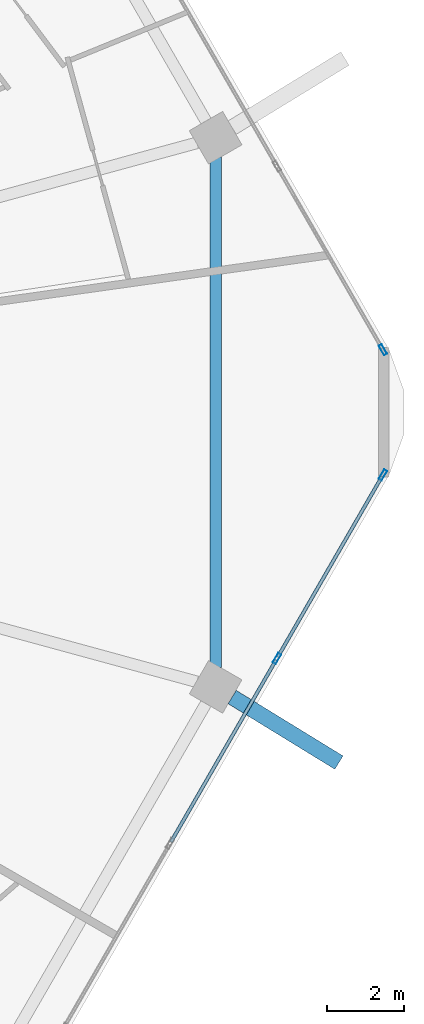
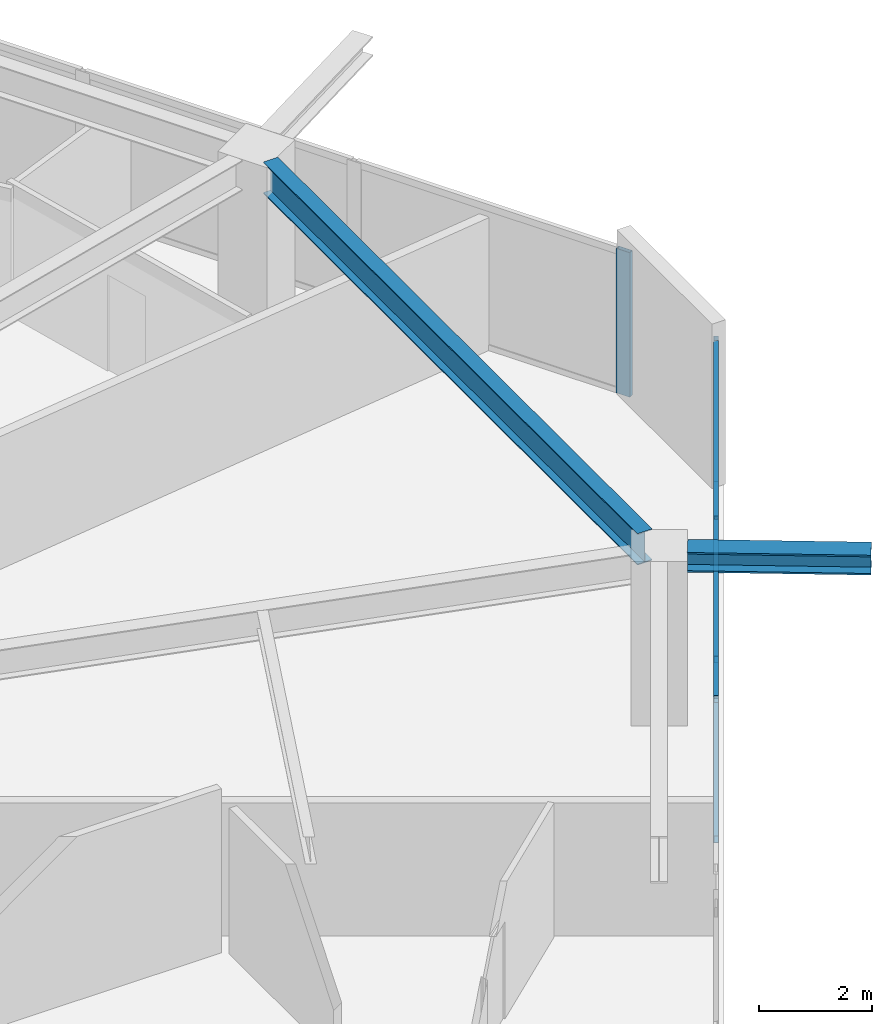
# One storey, part 9 of 25: 7 members, 2 beams, 2 elements without a shape of their own.
"""IFC4 building model written with IfcOpenShell, lengths in metres."""

from ifc_helpers import new_model, si_unit, direction, frame, origin, origin_2d, place, context, subcontext, project, spatial, hollow_rectangle, i_section, extrude, material, material_profile, profile_set, type_object, element, aggregate, save


model = new_model("IFC4")

# Units and contexts
model_context = context("Model", 3, precision=1e-05, world=origin(), true_north=direction((0.0, 1.0)))
body_context = subcontext(model_context, "Body", "Model", "MODEL_VIEW")
ifc_project = project(units=[si_unit("LENGTHUNIT", "METRE"), si_unit("AREAUNIT", "SQUARE_METRE"), si_unit("VOLUMEUNIT", "CUBIC_METRE"), si_unit("PLANEANGLEUNIT", "RADIAN"), si_unit("MASSUNIT", "GRAM", prefix="KILO")], contexts=[model_context])

# Site, building, storey
site_placement = place(None, origin())
site = spatial("IfcSite", under=ifc_project, at=site_placement, CompositionType="ELEMENT")
building_placement = place(site_placement, origin())
building = spatial("IfcBuilding", under=site, at=building_placement, Name="Zuhravey Tower", CompositionType="ELEMENT")
storey_placement = place(building_placement, frame((0.0, 0.0, 150.39990234375)))
storey = spatial("IfcBuildingStorey", under=building, at=storey_placement, Name="L37", CompositionType="ELEMENT", Elevation=150.39990234375)

# Curtain wall, members
ifc_material_1 = material(Name="Thermally broken anodised aluminium", Category="aluminium")
curtain_wall_type = type_object("IfcCurtainWallType", Name="Zone 1-2 Residential Curtain Wall CW3", PredefinedType="NOTDEFINED", material=ifc_material_1)
curtain_wall_1_placement = place(storey_placement, origin())
curtain_wall_1 = element("IfcCurtainWall", 1, at=curtain_wall_1_placement, inside=storey, type_object=curtain_wall_type, Name="L37 CW3 CW-L37-F6-1", PredefinedType="NOTDEFINED")
ifc_material_2 = material(Name="Anodised aluminium", Category="aluminium")
ifc_material_profile_1 = material_profile(ifc_material_2, hollow_rectangle(XDim=0.090087890625, YDim=0.284912109375, WallThickness=0.0048828125, at=origin_2d()), Name="ALU-RHS-90x285x5")
ifc_profile_set_1 = profile_set([ifc_material_profile_1], Name="Anodised aluminium")
member_type_1 = type_object("IfcMemberType", Name="Curtain-Wall Mullion 90x180", PredefinedType="MULLION", material=ifc_profile_set_1)
member_1_placement = place(storey_placement, frame((66.44921875, 30.37353515625, 0.0), z_axis=(0.0, 0.0, 1.0), x_axis=(0.866025138215, -0.500000459979, 0.0)))
member_1 = element("IfcMember", 2, at=member_1_placement, type_object=member_type_1, Name="CW3 mullion 1", PredefinedType="MULLION", context=body_context, shape_type="SweptSolid", body=[
    extrude(hollow_rectangle(XDim=0.090087890625, YDim=0.284912109375, WallThickness=0.0048828125, at=origin_2d()), origin(), (0.0, 0.0, 1.0), 3.1220703125),
])
member_2_placement = place(storey_placement, frame((63.699462890625, 25.61083984375, 0.0), z_axis=(0.0, 0.0, 1.0), x_axis=(0.866025138215, -0.500000459979, 0.0)))
member_2 = element("IfcMember", 3, at=member_2_placement, type_object=member_type_1, Name="CW3 mullion 2", PredefinedType="MULLION", context=body_context, shape_type="SweptSolid", body=[
    extrude(hollow_rectangle(XDim=0.090087890625, YDim=0.284912109375, WallThickness=0.0048828125, at=origin_2d()), origin(), (0.0, 0.0, 1.0), 3.1220703125),
])

# Curtain wall, member
curtain_wall_2_placement = place(storey_placement, origin())
curtain_wall_2 = element("IfcCurtainWall", 4, at=curtain_wall_2_placement, inside=storey, type_object=curtain_wall_type, Name="L37 CW3 CW-L37-F1-1", PredefinedType="NOTDEFINED")
member_3_placement = place(storey_placement, frame((66.44921875, 33.62646484375, 0.0), z_axis=(0.0, 0.0, 1.0), x_axis=(0.866025138215, 0.500000459979, 0.0)))
member_3 = element("IfcMember", 5, at=member_3_placement, type_object=member_type_1, Name="CW3 mullion 6", PredefinedType="MULLION", context=body_context, shape_type="SweptSolid", body=[
    extrude(hollow_rectangle(XDim=0.090087890625, YDim=0.284912109375, WallThickness=0.0048828125, at=origin_2d()), origin(), (0.0, 0.0, 1.0), 3.1220703125),
])
aggregate(curtain_wall_2, [member_3])

# Member
ifc_material_profile_2 = material_profile(ifc_material_2, hollow_rectangle(XDim=0.090087890625, YDim=0.14990234375, WallThickness=0.0048828125, at=origin_2d()), Name="ALU-RHS-90x150x5")
ifc_profile_set_2 = profile_set([ifc_material_profile_2], Name="Anodised aluminium")
member_type_2 = type_object("IfcMemberType", Name="Curtain-Wall Transom 90x150", PredefinedType="USERDEFINED", material=ifc_profile_set_2)
member_4_placement = place(storey_placement, frame((66.4267578125, 30.33447265625, 0.045166015625), z_axis=(-0.499993332629, -0.866029253159, 0.0), x_axis=(0.866029253159, -0.499993332629, 0.0)))
member_4 = element("IfcMember", 6, at=member_4_placement, type_object=member_type_2, Name="CW3 transom 1.1", ObjectType="TRANSOM", PredefinedType="USERDEFINED", context=body_context, shape_type="SweptSolid", body=[
    extrude(hollow_rectangle(XDim=0.090087890625, YDim=0.14990234375, WallThickness=0.0048828125, at=origin_2d()), origin(), (0.0, 0.0, 1.0), 5.4091796875),
])

member_5_placement = place(storey_placement, frame((66.4267578125, 30.33447265625, 3.0771484375), z_axis=(-0.499993332629, -0.866029253159, 0.0), x_axis=(0.866029253159, -0.499993332629, 0.0)))
member_5 = element("IfcMember", 7, at=member_5_placement, type_object=member_type_2, Name="CW3 transom 1.2", ObjectType="TRANSOM", PredefinedType="USERDEFINED", context=body_context, shape_type="SweptSolid", body=[
    extrude(hollow_rectangle(XDim=0.090087890625, YDim=0.14990234375, WallThickness=0.0048828125, at=origin_2d()), origin(), (0.0, 0.0, 1.0), 5.4091796875),
])

member_6_placement = place(storey_placement, frame((63.677001953125, 25.572021484375, 0.045166015625), z_axis=(-0.49996138257, -0.86604769842, 0.0), x_axis=(0.86604769842, -0.49996138257, 0.0)))
member_6 = element("IfcMember", 8, at=member_6_placement, type_object=member_type_2, Name="CW3 transom 2.1", ObjectType="TRANSOM", PredefinedType="USERDEFINED", context=body_context, shape_type="SweptSolid", body=[
    extrude(hollow_rectangle(XDim=0.090087890625, YDim=0.14990234375, WallThickness=0.0048828125, at=origin_2d()), origin(), (0.0, 0.0, 1.0), 5.45458984375),
])

member_7_placement = place(storey_placement, frame((63.677001953125, 25.572021484375, 3.0771484375), z_axis=(-0.49996138257, -0.86604769842, 0.0), x_axis=(0.86604769842, -0.49996138257, 0.0)))
member_7 = element("IfcMember", 9, at=member_7_placement, type_object=member_type_2, Name="CW3 transom 2.2", ObjectType="TRANSOM", PredefinedType="USERDEFINED", context=body_context, shape_type="SweptSolid", body=[
    extrude(hollow_rectangle(XDim=0.090087890625, YDim=0.14990234375, WallThickness=0.0048828125, at=origin_2d()), origin(), (0.0, 0.0, 1.0), 5.45458984375),
])

aggregate(curtain_wall_1, [member_1, member_2, member_4, member_5, member_6, member_7])

# Beams
ifc_material_3 = material(Name="Steel SM460", Category="steel")
ifc_material_profile_3 = material_profile(ifc_material_3, i_section(OverallWidth=0.406982421875, OverallDepth=0.427978515625, WebThickness=0.02001953125, FlangeThickness=0.034912109375, at=origin_2d()), Name="H-428x407x20x35")
ifc_profile_set_3 = profile_set([ifc_material_profile_3], Name="Steel SM460")
beam_type_1 = type_object("IfcBeamType", Name="Exoskeleton Node Tie Beam H428x407", PredefinedType="BEAM", material=ifc_profile_set_3)
beam_1_placement = place(storey_placement, frame((62.537353515625, 24.60986328125, 3.336181640625), z_axis=(0.852296870051, -0.523058357453, 0.0), x_axis=(0.523058357453, 0.852296870051, 0.0)))
element("IfcBeam", 10, at=beam_1_placement, inside=storey, type_object=beam_type_1, Name="L37 Exoskeleton Node Tie NT1-12", PredefinedType="BEAM", context=body_context, shape_type="SweptSolid", body=[
    extrude(i_section(OverallWidth=0.406982421875, OverallDepth=0.427978515625, WebThickness=0.02001953125, FlangeThickness=0.034912109375, at=origin_2d()), origin(), (0.0, 0.0, 1.0), 3.25244140625),
])
ifc_material_4 = material(Name="Steel SM355", Category="steel")
ifc_material_profile_4 = material_profile(ifc_material_4, i_section(OverallWidth=0.300048828125, OverallDepth=0.679931640625, WebThickness=0.012939453125, FlangeThickness=0.02197265625, at=origin_2d()), Name="H-680x300x13x22")
ifc_profile_set_4 = profile_set([ifc_material_profile_4], Name="Steel SM355")
beam_type_2 = type_object("IfcBeamType", Name="Perimeter Ring Beam H680x300", PredefinedType="BEAM", material=ifc_profile_set_4)
beam_2_placement = place(storey_placement, frame((62.107666015625, 25.37646484375, 3.210205078125), z_axis=(0.0, 1.0, 0.0), x_axis=(-1.0, 0.0, 0.0)))
element("IfcBeam", 11, at=beam_2_placement, inside=storey, type_object=beam_type_2, Name="L37 PB2 BM-L37-PB-12", PredefinedType="BEAM", context=body_context, shape_type="SweptSolid", body=[
    extrude(i_section(OverallWidth=0.300048828125, OverallDepth=0.679931640625, WebThickness=0.012939453125, FlangeThickness=0.02197265625, at=origin_2d()), origin(), (0.0, 0.0, 1.0), 13.2470703125),
])

save(model, "model.ifc")
